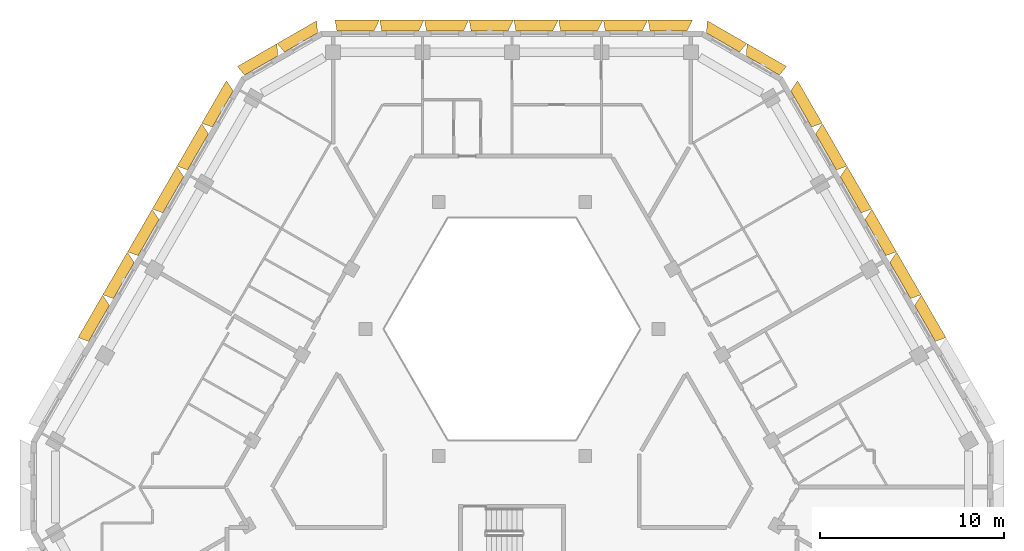
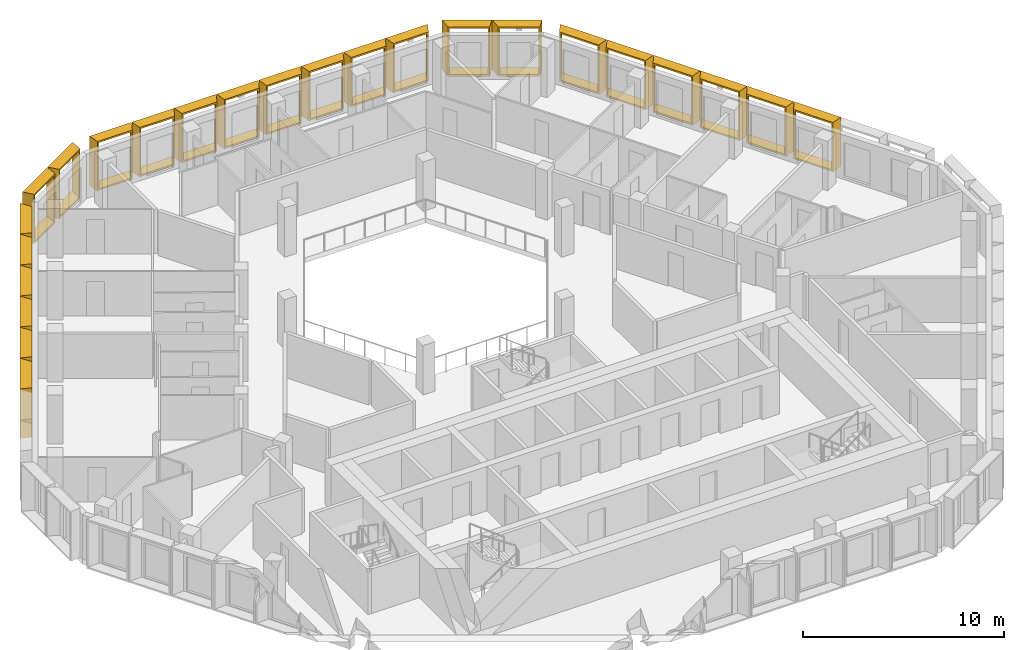
# One storey, part 18 of 18: 24 shading devices.
"""IFC4 building model written with IfcOpenShell, lengths in metres."""

from ifc_helpers import new_model, entity, si_unit, direction, frame, origin, place, context, subcontext, project, spatial, source, transform, mapped, material, type_object, type_shapes, element, save


model = new_model("IFC4")

# Units and contexts
model_context = context("Model", 3, precision=1e-05, world=origin(), true_north=direction((0.0, 1.0)))
body_context = subcontext(model_context, "Body", "Model", "MODEL_VIEW")
ifc_project = project(units=[si_unit("LENGTHUNIT", "METRE"), si_unit("AREAUNIT", "SQUARE_METRE"), si_unit("VOLUMEUNIT", "CUBIC_METRE"), si_unit("PLANEANGLEUNIT", "RADIAN"), si_unit("MASSUNIT", "GRAM", prefix="KILO")], contexts=[model_context])

# Site, building, storey
site_placement = place(None, origin())
site = spatial("IfcSite", under=ifc_project, at=site_placement, CompositionType="ELEMENT")
building_placement = place(site_placement, origin())
building = spatial("IfcBuilding", under=site, at=building_placement, Name="Beryl Residences", CompositionType="ELEMENT")
storey_placement = place(building_placement, frame((0.0, 0.0, 184.199951171875)))
storey = spatial("IfcBuildingStorey", under=building, at=storey_placement, Name="L56", CompositionType="ELEMENT", Elevation=184.199951171875)

# Shading devices
ifc_material_1 = material(Name="Aluminium pale anodised", Category="aluminium")
shading_device_type_1 = type_object("IfcShadingDeviceType", Name="FR243-60B OUTER SKIN frame 600 mm deep, splay 26/10 deg, 2430 x 3000 mm cell", PredefinedType="USERDEFINED", material=ifc_material_1)
cartesian_point_1 = entity("IfcCartesianPoint", [-1.005615234375, 0.0])
cartesian_point_2 = entity("IfcCartesianPoint", [-0.91650390625, 0.10009765625])
cartesian_point_3 = entity("IfcCartesianPoint", [-1.298095703125, 0.0])
cartesian_point_4 = entity("IfcCartesianPoint", [-1.209228515625, 0.10009765625])
shared_shape_1 = source(origin(), body_context, "Body", "SweptSolid", [
    entity("IfcExtrudedAreaSolidTapered", entity("IfcArbitraryProfileDefWithVoids", "AREA", None, entity("IfcPolyline", [cartesian_point_1, entity("IfcCartesianPoint", [1.005615234375, 0.0]), entity("IfcCartesianPoint", [1.005615234375, 3.0]), entity("IfcCartesianPoint", [-1.005615234375, 3.0]), cartesian_point_1]), [entity("IfcPolyline", [cartesian_point_2, entity("IfcCartesianPoint", [0.92431640625, 0.10009765625]), entity("IfcCartesianPoint", [0.92431640625, 2.89990234375]), entity("IfcCartesianPoint", [-0.91650390625, 2.89990234375]), cartesian_point_2])]), entity("IfcAxis2Placement3D", entity("IfcCartesianPoint", [0.0, 0.0, 0.0]), entity("IfcDirection", [0.0, 1.0, 0.0]), entity("IfcDirection", [-1.0, 0.0, 0.0])), entity("IfcDirection", [0.0, 0.0, 1.0]), 0.60009765625, entity("IfcArbitraryProfileDefWithVoids", "AREA", None, entity("IfcPolyline", [cartesian_point_3, entity("IfcCartesianPoint", [1.111328125, 0.0]), entity("IfcCartesianPoint", [1.111328125, 3.0]), entity("IfcCartesianPoint", [-1.298095703125, 3.0]), cartesian_point_3]), [entity("IfcPolyline", [cartesian_point_4, entity("IfcCartesianPoint", [1.030029296875, 0.10009765625]), entity("IfcCartesianPoint", [1.030029296875, 2.89990234375]), entity("IfcCartesianPoint", [-1.209228515625, 2.89990234375]), cartesian_point_4])])),
])
type_shapes(shading_device_type_1, [shared_shape_1])
for number, where, z_axis, x_axis, name in (
    (1, (8.511962890625, 24.199951171875, 0.0), (0.0, 0.0, 1.0), (1.0, 0.0, 0.0), "FR243-60B frame L56 N 1"),
    (2, (6.080078125, 24.199951171875, 0.0), (0.0, 0.0, 1.0), (1.0, 0.0, 0.0), "FR243-60B frame L56 N 2"),
    (3, (3.64794921875, 24.199951171875, 0.0), (0.0, 0.0, 1.0), (1.0, 0.0, 0.0), "FR243-60B frame L56 N 3"),
    (4, (1.216064453125, 24.199951171875, 0.0), (0.0, 0.0, 1.0), (1.0, 0.0, 0.0), "FR243-60B frame L56 N 4"),
    (5, (-1.216064453125, 24.199951171875, 0.0), (0.0, 0.0, 1.0), (1.0, 0.0, 0.0), "FR243-60B frame L56 N 5"),
    (6, (-3.64794921875, 24.199951171875, 0.0), (0.0, 0.0, 1.0), (1.0, 0.0, 0.0), "FR243-60B frame L56 N 6"),
    (7, (-6.080078125, 24.199951171875, 0.0), (0.0, 0.0, 1.0), (1.0, 0.0, 0.0), "FR243-60B frame L56 N 7"),
    (8, (-8.511962890625, 24.199951171875, 0.0), (0.0, 0.0, 1.0), (1.0, 0.0, 0.0), "FR243-60B frame L56 N 8"),
):
    element("IfcShadingDevice", number, at=place(storey_placement, frame(where, z_axis=z_axis, x_axis=x_axis)), inside=storey, type_object=shading_device_type_1, Name=name, ObjectType="OUTER SKIN", PredefinedType="USERDEFINED", context=body_context, shape_type="MappedRepresentation", body=[
        mapped(shared_shape_1, transform((0.0, 0.0, 0.0))),
    ])
ifc_material_2 = material(Name="Aluminium pale anodised", Category="aluminium")
shading_device_type_2 = type_object("IfcShadingDeviceType", Name="FR250-60B OUTER SKIN frame 600 mm deep, splay 26/10 deg, 2500 x 3000 mm cell", PredefinedType="USERDEFINED", material=ifc_material_2)
cartesian_point_5 = entity("IfcCartesianPoint", [-1.04052734375, 0.0])
cartesian_point_6 = entity("IfcCartesianPoint", [-0.951416015625, 0.10009765625])
cartesian_point_7 = entity("IfcCartesianPoint", [-1.333251953125, 0.0])
cartesian_point_8 = entity("IfcCartesianPoint", [-1.244140625, 0.10009765625])
shared_shape_2 = source(origin(), body_context, "Body", "SweptSolid", [
    entity("IfcExtrudedAreaSolidTapered", entity("IfcArbitraryProfileDefWithVoids", "AREA", None, entity("IfcPolyline", [cartesian_point_5, entity("IfcCartesianPoint", [1.04052734375, 0.0]), entity("IfcCartesianPoint", [1.04052734375, 3.0]), entity("IfcCartesianPoint", [-1.04052734375, 3.0]), cartesian_point_5]), [entity("IfcPolyline", [cartesian_point_6, entity("IfcCartesianPoint", [0.959228515625, 0.10009765625]), entity("IfcCartesianPoint", [0.959228515625, 2.89990234375]), entity("IfcCartesianPoint", [-0.951416015625, 2.89990234375]), cartesian_point_6])]), entity("IfcAxis2Placement3D", entity("IfcCartesianPoint", [0.0, 0.0, 0.0]), entity("IfcDirection", [0.0, 1.0, 0.0]), entity("IfcDirection", [-1.0, 0.0, 0.0])), entity("IfcDirection", [0.0, 0.0, 1.0]), 0.60009765625, entity("IfcArbitraryProfileDefWithVoids", "AREA", None, entity("IfcPolyline", [cartesian_point_7, entity("IfcCartesianPoint", [1.146240234375, 0.0]), entity("IfcCartesianPoint", [1.146240234375, 3.0]), entity("IfcCartesianPoint", [-1.333251953125, 3.0]), cartesian_point_7]), [entity("IfcPolyline", [cartesian_point_8, entity("IfcCartesianPoint", [1.06494140625, 0.10009765625]), entity("IfcCartesianPoint", [1.06494140625, 2.89990234375]), entity("IfcCartesianPoint", [-1.244140625, 2.89990234375]), cartesian_point_8])])),
])
type_shapes(shading_device_type_2, [shared_shape_2])
for number, where, z_axis, x_axis, name in (
    (9, (-11.47412109375, 23.574951171875, 0.0), (0.0, 0.0, 1.0), (0.866025403784, 0.5, 0.0), "FR250-60B frame L56 N-NW 1"),
    (10, (-13.638916015625, 22.324951171875, 0.0), (0.0, 0.0, 1.0), (0.866025403784, 0.5, 0.0), "FR250-60B frame L56 N-NW 2"),
):
    element("IfcShadingDevice", number, at=place(storey_placement, frame(where, z_axis=z_axis, x_axis=x_axis)), inside=storey, type_object=shading_device_type_2, Name=name, ObjectType="OUTER SKIN", PredefinedType="USERDEFINED", context=body_context, shape_type="MappedRepresentation", body=[
        mapped(shared_shape_2, transform((0.0, 0.0, 0.0))),
    ])
ifc_material_3 = material(Name="Aluminium pale anodised", Category="aluminium")
shading_device_type_3 = type_object("IfcShadingDeviceType", Name="FR250-60C OUTER SKIN frame 600 mm deep, splay 10/26 deg, 2500 x 3000 mm cell", PredefinedType="USERDEFINED", material=ifc_material_3)
cartesian_point_9 = entity("IfcCartesianPoint", [-1.04052734375, 0.0])
cartesian_point_10 = entity("IfcCartesianPoint", [-0.959228515625, 0.10009765625])
cartesian_point_11 = entity("IfcCartesianPoint", [-1.146240234375, 0.0])
cartesian_point_12 = entity("IfcCartesianPoint", [-1.06494140625, 0.10009765625])
shared_shape_3 = source(origin(), body_context, "Body", "SweptSolid", [
    entity("IfcExtrudedAreaSolidTapered", entity("IfcArbitraryProfileDefWithVoids", "AREA", None, entity("IfcPolyline", [cartesian_point_9, entity("IfcCartesianPoint", [1.04052734375, 0.0]), entity("IfcCartesianPoint", [1.04052734375, 3.0]), entity("IfcCartesianPoint", [-1.04052734375, 3.0]), cartesian_point_9]), [entity("IfcPolyline", [cartesian_point_10, entity("IfcCartesianPoint", [0.951416015625, 0.10009765625]), entity("IfcCartesianPoint", [0.951416015625, 2.89990234375]), entity("IfcCartesianPoint", [-0.959228515625, 2.89990234375]), cartesian_point_10])]), entity("IfcAxis2Placement3D", entity("IfcCartesianPoint", [0.0, 0.0, 0.0]), entity("IfcDirection", [0.0, 1.0, 0.0]), entity("IfcDirection", [-1.0, 0.0, 0.0])), entity("IfcDirection", [0.0, 0.0, 1.0]), 0.60009765625, entity("IfcArbitraryProfileDefWithVoids", "AREA", None, entity("IfcPolyline", [cartesian_point_11, entity("IfcCartesianPoint", [1.333251953125, 0.0]), entity("IfcCartesianPoint", [1.333251953125, 3.0]), entity("IfcCartesianPoint", [-1.146240234375, 3.0]), cartesian_point_11]), [entity("IfcPolyline", [cartesian_point_12, entity("IfcCartesianPoint", [1.244140625, 0.10009765625]), entity("IfcCartesianPoint", [1.244140625, 2.89990234375]), entity("IfcCartesianPoint", [-1.06494140625, 2.89990234375]), cartesian_point_12])])),
])
type_shapes(shading_device_type_3, [shared_shape_3])
for number, where, z_axis, x_axis, name in (
    (11, (13.638916015625, 22.324951171875, 0.0), (0.0, 0.0, 1.0), (0.866025403784, -0.5, 0.0), "FR250-60C frame L56 NE-N 1"),
    (12, (11.47412109375, 23.574951171875, 0.0), (0.0, 0.0, 1.0), (0.866025403784, -0.5, 0.0), "FR250-60C frame L56 NE-N 2"),
):
    element("IfcShadingDevice", number, at=place(storey_placement, frame(where, z_axis=z_axis, x_axis=x_axis)), inside=storey, type_object=shading_device_type_3, Name=name, ObjectType="OUTER SKIN", PredefinedType="USERDEFINED", context=body_context, shape_type="MappedRepresentation", body=[
        mapped(shared_shape_3, transform((0.0, 0.0, 0.0))),
    ])
ifc_material_4 = material(Name="Aluminium pale anodised", Category="aluminium")
shading_device_type_4 = type_object("IfcShadingDeviceType", Name="FR269-60B OUTER SKIN frame 600 mm deep, splay 26/10 deg, 2690 x 3000 mm cell", PredefinedType="USERDEFINED", material=ifc_material_4)
cartesian_point_13 = entity("IfcCartesianPoint", [-1.135498046875, 0.0])
cartesian_point_14 = entity("IfcCartesianPoint", [-1.04638671875, 0.10009765625])
cartesian_point_15 = entity("IfcCartesianPoint", [-1.42822265625, 0.0])
cartesian_point_16 = entity("IfcCartesianPoint", [-1.339111328125, 0.10009765625])
shared_shape_4 = source(origin(), body_context, "Body", "SweptSolid", [
    entity("IfcExtrudedAreaSolidTapered", entity("IfcArbitraryProfileDefWithVoids", "AREA", None, entity("IfcPolyline", [cartesian_point_13, entity("IfcCartesianPoint", [1.135498046875, 0.0]), entity("IfcCartesianPoint", [1.135498046875, 3.0]), entity("IfcCartesianPoint", [-1.135498046875, 3.0]), cartesian_point_13]), [entity("IfcPolyline", [cartesian_point_14, entity("IfcCartesianPoint", [1.05419921875, 0.10009765625]), entity("IfcCartesianPoint", [1.05419921875, 2.89990234375]), entity("IfcCartesianPoint", [-1.04638671875, 2.89990234375]), cartesian_point_14])]), entity("IfcAxis2Placement3D", entity("IfcCartesianPoint", [0.0, 0.0, 0.0]), entity("IfcDirection", [0.0, 1.0, 0.0]), entity("IfcDirection", [-1.0, 0.0, 0.0])), entity("IfcDirection", [0.0, 0.0, 1.0]), 0.60009765625, entity("IfcArbitraryProfileDefWithVoids", "AREA", None, entity("IfcPolyline", [cartesian_point_15, entity("IfcCartesianPoint", [1.2412109375, 0.0]), entity("IfcCartesianPoint", [1.2412109375, 3.0]), entity("IfcCartesianPoint", [-1.42822265625, 3.0]), cartesian_point_15]), [entity("IfcPolyline", [cartesian_point_16, entity("IfcCartesianPoint", [1.16015625, 0.10009765625]), entity("IfcCartesianPoint", [1.16015625, 2.89990234375]), entity("IfcCartesianPoint", [-1.339111328125, 2.89990234375]), cartesian_point_16])])),
])
type_shapes(shading_device_type_4, [shared_shape_4])
for number, where, z_axis, x_axis, name in (
    (13, (-15.72705078125, 19.9599609375, 0.0), (0.0, 0.0, 1.0), (0.5, 0.866025403784, 0.0), "FR269-60B frame L56 NW 1"),
    (14, (-17.072998046875, 17.6279296875, 0.0), (0.0, 0.0, 1.0), (0.5, 0.866025403784, 0.0), "FR269-60B frame L56 NW 2"),
    (15, (-18.4189453125, 15.297119140625, 0.0), (0.0, 0.0, 1.0), (0.5, 0.866025403784, 0.0), "FR269-60B frame L56 NW 3"),
    (16, (-19.764892578125, 12.966064453125, 0.0), (0.0, 0.0, 1.0), (0.5, 0.866025403784, 0.0), "FR269-60B frame L56 NW 4"),
    (17, (-21.111083984375, 10.634033203125, 0.0), (0.0, 0.0, 1.0), (0.5, 0.866025403784, 0.0), "FR269-60B frame L56 NW 5"),
    (18, (-22.45703125, 8.302978515625, 0.0), (0.0, 0.0, 1.0), (0.5, 0.866025403784, 0.0), "FR269-60B frame L56 NW 6"),
):
    element("IfcShadingDevice", number, at=place(storey_placement, frame(where, z_axis=z_axis, x_axis=x_axis)), inside=storey, type_object=shading_device_type_4, Name=name, ObjectType="OUTER SKIN", PredefinedType="USERDEFINED", context=body_context, shape_type="MappedRepresentation", body=[
        mapped(shared_shape_4, transform((0.0, 0.0, 0.0))),
    ])
ifc_material_5 = material(Name="Aluminium pale anodised", Category="aluminium")
shading_device_type_5 = type_object("IfcShadingDeviceType", Name="FR269-60C OUTER SKIN frame 600 mm deep, splay 10/26 deg, 2690 x 3000 mm cell", PredefinedType="USERDEFINED", material=ifc_material_5)
cartesian_point_17 = entity("IfcCartesianPoint", [-1.135498046875, 0.0])
cartesian_point_18 = entity("IfcCartesianPoint", [-1.05419921875, 0.10009765625])
cartesian_point_19 = entity("IfcCartesianPoint", [-1.2412109375, 0.0])
cartesian_point_20 = entity("IfcCartesianPoint", [-1.16015625, 0.10009765625])
shared_shape_5 = source(origin(), body_context, "Body", "SweptSolid", [
    entity("IfcExtrudedAreaSolidTapered", entity("IfcArbitraryProfileDefWithVoids", "AREA", None, entity("IfcPolyline", [cartesian_point_17, entity("IfcCartesianPoint", [1.135498046875, 0.0]), entity("IfcCartesianPoint", [1.135498046875, 3.0]), entity("IfcCartesianPoint", [-1.135498046875, 3.0]), cartesian_point_17]), [entity("IfcPolyline", [cartesian_point_18, entity("IfcCartesianPoint", [1.04638671875, 0.10009765625]), entity("IfcCartesianPoint", [1.04638671875, 2.89990234375]), entity("IfcCartesianPoint", [-1.05419921875, 2.89990234375]), cartesian_point_18])]), entity("IfcAxis2Placement3D", entity("IfcCartesianPoint", [0.0, 0.0, 0.0]), entity("IfcDirection", [0.0, 1.0, 0.0]), entity("IfcDirection", [-1.0, 0.0, 0.0])), entity("IfcDirection", [0.0, 0.0, 1.0]), 0.60009765625, entity("IfcArbitraryProfileDefWithVoids", "AREA", None, entity("IfcPolyline", [cartesian_point_19, entity("IfcCartesianPoint", [1.42822265625, 0.0]), entity("IfcCartesianPoint", [1.42822265625, 3.0]), entity("IfcCartesianPoint", [-1.2412109375, 3.0]), cartesian_point_19]), [entity("IfcPolyline", [cartesian_point_20, entity("IfcCartesianPoint", [1.339111328125, 0.10009765625]), entity("IfcCartesianPoint", [1.339111328125, 2.89990234375]), entity("IfcCartesianPoint", [-1.16015625, 2.89990234375]), cartesian_point_20])])),
])
type_shapes(shading_device_type_5, [shared_shape_5])
for number, where, z_axis, x_axis, name in (
    (19, (22.45703125, 8.302978515625, 0.0), (0.0, 0.0, 1.0), (0.5, -0.866025403784, 0.0), "FR269-60C frame L56 NE 3"),
    (20, (21.111083984375, 10.634033203125, 0.0), (0.0, 0.0, 1.0), (0.5, -0.866025403784, 0.0), "FR269-60C frame L56 NE 4"),
    (21, (19.764892578125, 12.966064453125, 0.0), (0.0, 0.0, 1.0), (0.5, -0.866025403784, 0.0), "FR269-60C frame L56 NE 5"),
    (22, (18.4189453125, 15.297119140625, 0.0), (0.0, 0.0, 1.0), (0.5, -0.866025403784, 0.0), "FR269-60C frame L56 NE 6"),
    (23, (17.072998046875, 17.6279296875, 0.0), (0.0, 0.0, 1.0), (0.5, -0.866025403784, 0.0), "FR269-60C frame L56 NE 7"),
    (24, (15.72705078125, 19.9599609375, 0.0), (0.0, 0.0, 1.0), (0.5, -0.866025403784, 0.0), "FR269-60C frame L56 NE 8"),
):
    element("IfcShadingDevice", number, at=place(storey_placement, frame(where, z_axis=z_axis, x_axis=x_axis)), inside=storey, type_object=shading_device_type_5, Name=name, ObjectType="OUTER SKIN", PredefinedType="USERDEFINED", context=body_context, shape_type="MappedRepresentation", body=[
        mapped(shared_shape_5, transform((0.0, 0.0, 0.0))),
    ])

save(model, "model.ifc")
